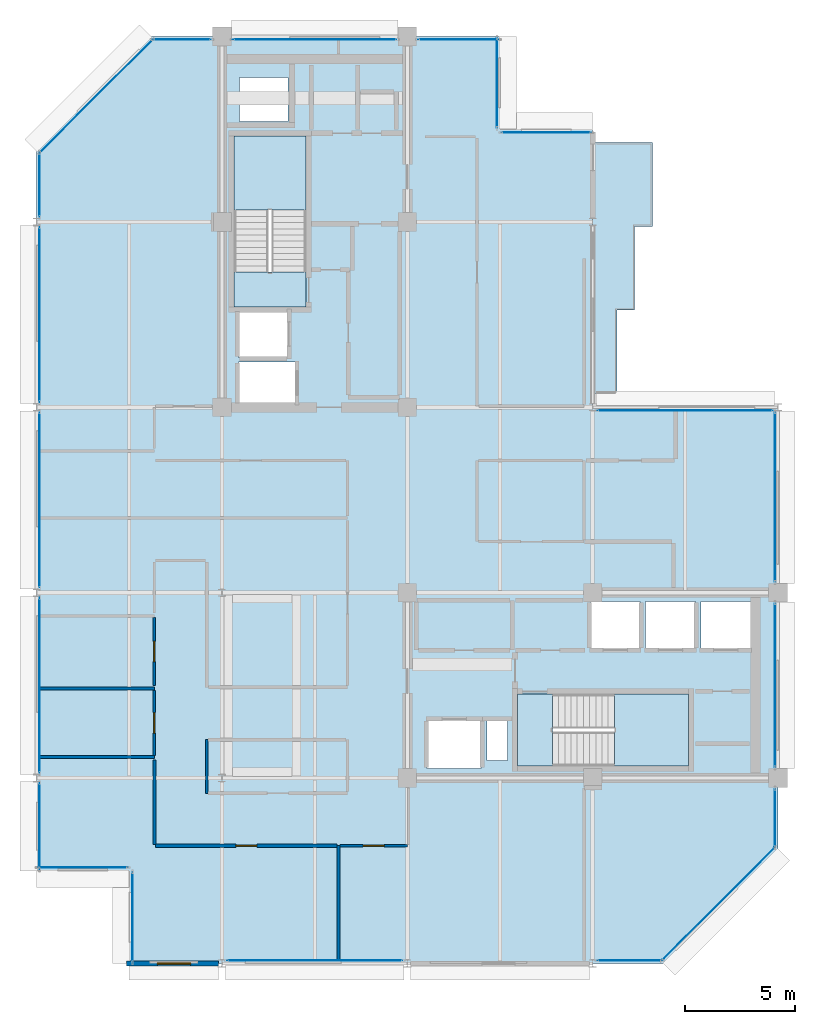
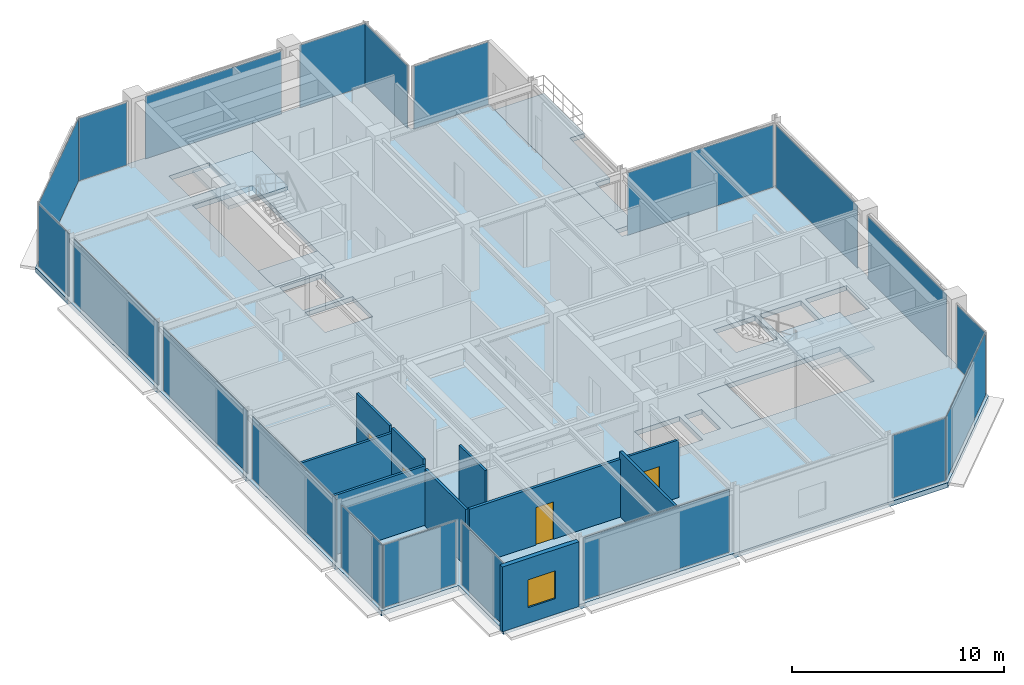
# One storey, part 19 of 25: 20 plates, 10 walls, 6 slabs, 4 doors, 1 window, 5 openings, 22 elements without a shape of their own.
"""IFC4 building model written with IfcOpenShell, lengths in metres."""

from ifc_helpers import new_model, si_unit, direction, frame, frame_2d, origin, origin_2d, place, context, subcontext, project, spatial, polyline, rectangle, outline, extrude, material, layer, layer_set, type_object, element, fill, aggregate, save


model = new_model("IFC4")

# Units and contexts
model_context = context("Model", 3, precision=1e-05, world=origin(), true_north=direction((0.0, 1.0)))
body_context = subcontext(model_context, "Body", "Model", "MODEL_VIEW")
ifc_project = project(units=[si_unit("LENGTHUNIT", "METRE"), si_unit("AREAUNIT", "SQUARE_METRE"), si_unit("VOLUMEUNIT", "CUBIC_METRE"), si_unit("PLANEANGLEUNIT", "RADIAN"), si_unit("MASSUNIT", "GRAM", prefix="KILO")], contexts=[model_context])

# Site, building, storey
site_placement = place(None, origin())
site = spatial("IfcSite", under=ifc_project, at=site_placement, CompositionType="ELEMENT")
building_placement = place(site_placement, origin())
building = spatial("IfcBuilding", under=site, at=building_placement, Name="Nerrivon Quay Data Exchange", CompositionType="ELEMENT")
storey_placement = place(building_placement, frame((0.0, 0.0, 314.199951171875)))
storey = spatial("IfcBuildingStorey", under=building, at=storey_placement, Name="L75", CompositionType="ELEMENT", Elevation=314.199951171875)

# Curtain wall, plate
ifc_material_1 = material(Name="Anodised aluminium 6063-T6", Category="aluminium")
ifc_layer_1 = layer(ifc_material_1, 0.195068359375)
ifc_layer_set_1 = layer_set([ifc_layer_1], Name="Anodised aluminium 6063-T6")
curtain_wall_type = type_object("IfcCurtainWallType", Name="CW-SYS-06", PredefinedType="NOTDEFINED", material=ifc_layer_set_1)
curtain_wall_1_placement = place(storey_placement, origin())
curtain_wall_1 = element("IfcCurtainWall", 1, at=curtain_wall_1_placement, inside=storey, type_object=curtain_wall_type, Name="L75 Unitised Curtain Wall 1", PredefinedType="NOTDEFINED")
ifc_material_2 = material(Name="Double-glazed low-E solar control glass", Category="glass")
ifc_layer_2 = layer(ifc_material_2, 0.028076171875)
ifc_layer_set_2 = layer_set([ifc_layer_2], Name="Double-glazed low-E solar control glass")
plate_type = type_object("IfcPlateType", Name="CWP-GLZ-28", PredefinedType="CURTAIN_PANEL", material=ifc_layer_set_2)
plate_1_placement = place(storey_placement, frame((30.90087890625, 2.698974609375, 0.06494140625), z_axis=(0.0, 0.0, 1.0), x_axis=(-0.707106781187, -0.707106781187, 0.0)))
plate_1 = element("IfcPlate", 2, at=plate_1_placement, type_object=plate_type, Name="CW06 panel 1.1", PredefinedType="CURTAIN_PANEL", context=body_context, shape_type="SweptSolid", body=[
    extrude(rectangle(XDim=7.203857421875, YDim=0.028076171875, at=origin_2d()), origin(), (0.0, 0.0, 1.0), 3.594970703125),
])
aggregate(curtain_wall_1, [plate_1])

curtain_wall_2_placement = place(storey_placement, origin())
curtain_wall_2 = element("IfcCurtainWall", 3, at=curtain_wall_2_placement, inside=storey, type_object=curtain_wall_type, Name="L75 Unitised Curtain Wall 2", PredefinedType="NOTDEFINED")
plate_2_placement = place(storey_placement, frame((26.877685546875, 0.139892578125, 0.06494140625), z_axis=(0.0, 0.0, 1.0), x_axis=(-1.0, 0.0, 0.0)))
plate_2 = element("IfcPlate", 4, at=plate_2_placement, type_object=plate_type, Name="CW06 panel 1.1", PredefinedType="CURTAIN_PANEL", context=body_context, shape_type="SweptSolid", body=[
    extrude(rectangle(XDim=2.89453125, YDim=0.028076171875, at=origin_2d()), origin(), (0.0, 0.0, 1.0), 3.594970703125),
])
aggregate(curtain_wall_2, [plate_2])

curtain_wall_3_placement = place(storey_placement, origin())
curtain_wall_3 = element("IfcCurtainWall", 5, at=curtain_wall_3_placement, inside=storey, type_object=curtain_wall_type, Name="L75 Unitised Curtain Wall 4", PredefinedType="NOTDEFINED")
plate_3_placement = place(storey_placement, frame((12.60009765625, 0.139892578125, 0.06494140625), z_axis=(0.0, 0.0, 1.0), x_axis=(-1.0, 0.0, 0.0)))
plate_3 = element("IfcPlate", 6, at=plate_3_placement, type_object=plate_type, Name="CW06 panel 1.1", PredefinedType="CURTAIN_PANEL", context=body_context, shape_type="SweptSolid", body=[
    extrude(rectangle(XDim=7.93896484375, YDim=0.028076171875, at=origin_2d()), origin(), (0.0, 0.0, 1.0), 3.594970703125),
])
aggregate(curtain_wall_3, [plate_3])

curtain_wall_4_placement = place(storey_placement, origin())
curtain_wall_4 = element("IfcCurtainWall", 7, at=curtain_wall_4_placement, inside=storey, type_object=curtain_wall_type, Name="L75 Unitised Curtain Wall 6", PredefinedType="NOTDEFINED")
plate_4_placement = place(storey_placement, frame((4.340087890625, 2.10009765625, 0.06494140625), z_axis=(0.0, 0.0, 1.0), x_axis=(0.0, 1.0, 0.0)))
plate_4 = element("IfcPlate", 8, at=plate_4_placement, type_object=plate_type, Name="CW06 panel 1.1", PredefinedType="CURTAIN_PANEL", context=body_context, shape_type="SweptSolid", body=[
    extrude(rectangle(XDim=4.050048828125, YDim=0.028076171875, at=origin_2d()), origin(), (0.0, 0.0, 1.0), 3.594970703125),
])
aggregate(curtain_wall_4, [plate_4])

curtain_wall_5_placement = place(storey_placement, origin())
curtain_wall_5 = element("IfcCurtainWall", 9, at=curtain_wall_5_placement, inside=storey, type_object=curtain_wall_type, Name="L75 Unitised Curtain Wall 7", PredefinedType="NOTDEFINED")
plate_5_placement = place(storey_placement, frame((2.10009765625, 4.340087890625, 0.06494140625), z_axis=(0.0, 0.0, 1.0), x_axis=(-1.0, 0.0, 0.0)))
plate_5 = element("IfcPlate", 10, at=plate_5_placement, type_object=plate_type, Name="CW06 panel 1.1", PredefinedType="CURTAIN_PANEL", context=body_context, shape_type="SweptSolid", body=[
    extrude(rectangle(XDim=4.050048828125, YDim=0.028076171875, at=origin_2d()), origin(), (0.0, 0.0, 1.0), 3.594970703125),
])
aggregate(curtain_wall_5, [plate_5])

curtain_wall_6_placement = place(storey_placement, origin())
curtain_wall_6 = element("IfcCurtainWall", 11, at=curtain_wall_6_placement, inside=storey, type_object=curtain_wall_type, Name="L75 Unitised Curtain Wall 8", PredefinedType="NOTDEFINED")
plate_6_placement = place(storey_placement, frame((0.139892578125, 6.21826171875, 0.06494140625), z_axis=(0.0, 0.0, 1.0), x_axis=(0.0, 1.0, 0.0)))
plate_6 = element("IfcPlate", 12, at=plate_6_placement, type_object=plate_type, Name="CW06 panel 1.1", PredefinedType="CURTAIN_PANEL", context=body_context, shape_type="SweptSolid", body=[
    extrude(rectangle(XDim=3.886474609375, YDim=0.028076171875, at=origin_2d()), origin(), (0.0, 0.0, 1.0), 3.594970703125),
])
aggregate(curtain_wall_6, [plate_6])

curtain_wall_7_placement = place(storey_placement, origin())
curtain_wall_7 = element("IfcCurtainWall", 13, at=curtain_wall_7_placement, inside=storey, type_object=curtain_wall_type, Name="L75 Unitised Curtain Wall 9", PredefinedType="NOTDEFINED")
plate_7_placement = place(storey_placement, frame((0.139892578125, 12.60009765625, 0.06494140625), z_axis=(0.0, 0.0, 1.0), x_axis=(0.0, 1.0, 0.0)))
plate_7 = element("IfcPlate", 14, at=plate_7_placement, type_object=plate_type, Name="CW06 panel 1.1", PredefinedType="CURTAIN_PANEL", context=body_context, shape_type="SweptSolid", body=[
    extrude(rectangle(XDim=7.923095703125, YDim=0.028076171875, at=origin_2d()), origin(), (0.0, 0.0, 1.0), 3.594970703125),
])
aggregate(curtain_wall_7, [plate_7])

curtain_wall_8_placement = place(storey_placement, origin())
curtain_wall_8 = element("IfcCurtainWall", 15, at=curtain_wall_8_placement, inside=storey, type_object=curtain_wall_type, Name="L75 Unitised Curtain Wall 10", PredefinedType="NOTDEFINED")
plate_8_placement = place(storey_placement, frame((0.139892578125, 21.0, 0.06494140625), z_axis=(0.0, 0.0, 1.0), x_axis=(0.0, 1.0, 0.0)))
plate_8 = element("IfcPlate", 16, at=plate_8_placement, type_object=plate_type, Name="CW06 panel 1.1", PredefinedType="CURTAIN_PANEL", context=body_context, shape_type="SweptSolid", body=[
    extrude(rectangle(XDim=7.923095703125, YDim=0.028076171875, at=origin_2d()), origin(), (0.0, 0.0, 1.0), 3.594970703125),
])
aggregate(curtain_wall_8, [plate_8])

curtain_wall_9_placement = place(storey_placement, origin())
curtain_wall_9 = element("IfcCurtainWall", 17, at=curtain_wall_9_placement, inside=storey, type_object=curtain_wall_type, Name="L75 Unitised Curtain Wall 11", PredefinedType="NOTDEFINED")
plate_9_placement = place(storey_placement, frame((0.139892578125, 29.39990234375, 0.06494140625), z_axis=(0.0, 0.0, 1.0), x_axis=(0.0, 1.0, 0.0)))
plate_9 = element("IfcPlate", 18, at=plate_9_placement, type_object=plate_type, Name="CW06 panel 1.1", PredefinedType="CURTAIN_PANEL", context=body_context, shape_type="SweptSolid", body=[
    extrude(rectangle(XDim=7.923095703125, YDim=0.028076171875, at=origin_2d()), origin(), (0.0, 0.0, 1.0), 3.594970703125),
])
aggregate(curtain_wall_9, [plate_9])

curtain_wall_10_placement = place(storey_placement, origin())
curtain_wall_10 = element("IfcCurtainWall", 19, at=curtain_wall_10_placement, inside=storey, type_object=curtain_wall_type, Name="L75 Unitised Curtain Wall 12", PredefinedType="NOTDEFINED")
plate_10_placement = place(storey_placement, frame((0.139892578125, 35.28173828125, 0.06494140625), z_axis=(0.0, 0.0, 1.0), x_axis=(0.0, 1.0, 0.0)))
plate_10 = element("IfcPlate", 20, at=plate_10_placement, type_object=plate_type, Name="CW06 panel 1.1", PredefinedType="CURTAIN_PANEL", context=body_context, shape_type="SweptSolid", body=[
    extrude(rectangle(XDim=2.886474609375, YDim=0.028076171875, at=origin_2d()), origin(), (0.0, 0.0, 1.0), 3.594970703125),
])
aggregate(curtain_wall_10, [plate_10])

curtain_wall_11_placement = place(storey_placement, origin())
curtain_wall_11 = element("IfcCurtainWall", 21, at=curtain_wall_11_placement, inside=storey, type_object=curtain_wall_type, Name="L75 Unitised Curtain Wall 13", PredefinedType="NOTDEFINED")
plate_11_placement = place(storey_placement, frame((2.698974609375, 39.301025390625, 0.06494140625), z_axis=(0.0, 0.0, 1.0), x_axis=(0.707106781187, 0.707106781187, 0.0)))
plate_11 = element("IfcPlate", 22, at=plate_11_placement, type_object=plate_type, Name="CW06 panel 1.1", PredefinedType="CURTAIN_PANEL", context=body_context, shape_type="SweptSolid", body=[
    extrude(rectangle(XDim=7.203857421875, YDim=0.028076171875, at=origin_2d()), origin(), (0.0, 0.0, 1.0), 3.594970703125),
])
aggregate(curtain_wall_11, [plate_11])

curtain_wall_12_placement = place(storey_placement, origin())
curtain_wall_12 = element("IfcCurtainWall", 23, at=curtain_wall_12_placement, inside=storey, type_object=curtain_wall_type, Name="L75 Unitised Curtain Wall 14", PredefinedType="NOTDEFINED")
plate_12_placement = place(storey_placement, frame((6.58740234375, 41.860107421875, 0.06494140625), z_axis=(0.0, 0.0, 1.0), x_axis=(1.0, 0.0, 0.0)))
plate_12 = element("IfcPlate", 24, at=plate_12_placement, type_object=plate_type, Name="CW06 panel 1.1", PredefinedType="CURTAIN_PANEL", context=body_context, shape_type="SweptSolid", body=[
    extrude(rectangle(XDim=2.625, YDim=0.028076171875, at=origin_2d()), origin(), (0.0, 0.0, 1.0), 3.594970703125),
])
aggregate(curtain_wall_12, [plate_12])

curtain_wall_13_placement = place(storey_placement, origin())
curtain_wall_13 = element("IfcCurtainWall", 25, at=curtain_wall_13_placement, inside=storey, type_object=curtain_wall_type, Name="L75 Unitised Curtain Wall 15", PredefinedType="NOTDEFINED")
plate_13_placement = place(storey_placement, frame((12.60009765625, 41.860107421875, 0.06494140625), z_axis=(0.0, 0.0, 1.0), x_axis=(1.0, 0.0, 0.0)))
plate_13 = element("IfcPlate", 26, at=plate_13_placement, type_object=plate_type, Name="CW06 panel 1.1", PredefinedType="CURTAIN_PANEL", context=body_context, shape_type="SweptSolid", body=[
    extrude(rectangle(XDim=7.39990234375, YDim=0.028076171875, at=origin_2d()), origin(), (0.0, 0.0, 1.0), 3.594970703125),
])
aggregate(curtain_wall_13, [plate_13])

curtain_wall_14_placement = place(storey_placement, origin())
curtain_wall_14 = element("IfcCurtainWall", 27, at=curtain_wall_14_placement, inside=storey, type_object=curtain_wall_type, Name="L75 Unitised Curtain Wall 16", PredefinedType="NOTDEFINED")
plate_14_placement = place(storey_placement, frame((19.112548828125, 41.860107421875, 0.06494140625), z_axis=(0.0, 0.0, 1.0), x_axis=(1.0, 0.0, 0.0)))
plate_14 = element("IfcPlate", 28, at=plate_14_placement, type_object=plate_type, Name="CW06 panel 1.1", PredefinedType="CURTAIN_PANEL", context=body_context, shape_type="SweptSolid", body=[
    extrude(rectangle(XDim=3.625, YDim=0.028076171875, at=origin_2d()), origin(), (0.0, 0.0, 1.0), 3.594970703125),
])
aggregate(curtain_wall_14, [plate_14])

curtain_wall_15_placement = place(storey_placement, origin())
curtain_wall_15 = element("IfcCurtainWall", 29, at=curtain_wall_15_placement, inside=storey, type_object=curtain_wall_type, Name="L75 Unitised Curtain Wall 17", PredefinedType="NOTDEFINED")
plate_15_placement = place(storey_placement, frame((20.860107421875, 39.89990234375, 0.06494140625), z_axis=(0.0, 0.0, 1.0), x_axis=(0.0, -1.0, 0.0)))
plate_15 = element("IfcPlate", 30, at=plate_15_placement, type_object=plate_type, Name="CW06 panel 1.1", PredefinedType="CURTAIN_PANEL", context=body_context, shape_type="SweptSolid", body=[
    extrude(rectangle(XDim=4.050048828125, YDim=0.028076171875, at=origin_2d()), origin(), (0.0, 0.0, 1.0), 3.594970703125),
])
aggregate(curtain_wall_15, [plate_15])

curtain_wall_16_placement = place(storey_placement, origin())
curtain_wall_16 = element("IfcCurtainWall", 31, at=curtain_wall_16_placement, inside=storey, type_object=curtain_wall_type, Name="L75 Unitised Curtain Wall 18", PredefinedType="NOTDEFINED")
plate_16_placement = place(storey_placement, frame((23.10009765625, 37.659912109375, 0.06494140625), z_axis=(0.0, 0.0, 1.0), x_axis=(1.0, 0.0, 0.0)))
plate_16 = element("IfcPlate", 32, at=plate_16_placement, type_object=plate_type, Name="CW06 panel 1.1", PredefinedType="CURTAIN_PANEL", context=body_context, shape_type="SweptSolid", body=[
    extrude(rectangle(XDim=4.050048828125, YDim=0.028076171875, at=origin_2d()), origin(), (0.0, 0.0, 1.0), 3.594970703125),
])
aggregate(curtain_wall_16, [plate_16])

curtain_wall_17_placement = place(storey_placement, origin())
curtain_wall_17 = element("IfcCurtainWall", 33, at=curtain_wall_17_placement, inside=storey, type_object=curtain_wall_type, Name="L75 Unitised Curtain Wall 21", PredefinedType="NOTDEFINED")
plate_17_placement = place(storey_placement, frame((29.39990234375, 25.06005859375, 0.06494140625), z_axis=(0.0, 0.0, 1.0), x_axis=(1.0, 0.0, 0.0)))
plate_17 = element("IfcPlate", 34, at=plate_17_placement, type_object=plate_type, Name="CW06 panel 1.1", PredefinedType="CURTAIN_PANEL", context=body_context, shape_type="SweptSolid", body=[
    extrude(rectangle(XDim=7.93896484375, YDim=0.028076171875, at=origin_2d()), origin(), (0.0, 0.0, 1.0), 3.594970703125),
])
aggregate(curtain_wall_17, [plate_17])

curtain_wall_18_placement = place(storey_placement, origin())
curtain_wall_18 = element("IfcCurtainWall", 35, at=curtain_wall_18_placement, inside=storey, type_object=curtain_wall_type, Name="L75 Unitised Curtain Wall 22", PredefinedType="NOTDEFINED")
plate_18_placement = place(storey_placement, frame((33.4599609375, 21.130859375, 0.06494140625), z_axis=(0.0, 0.0, 1.0), x_axis=(0.0, -1.0, 0.0)))
plate_18 = element("IfcPlate", 36, at=plate_18_placement, type_object=plate_type, Name="CW06 panel 1.1", PredefinedType="CURTAIN_PANEL", context=body_context, shape_type="SweptSolid", body=[
    extrude(rectangle(XDim=7.66162109375, YDim=0.028076171875, at=origin_2d()), origin(), (0.0, 0.0, 1.0), 3.594970703125),
])
aggregate(curtain_wall_18, [plate_18])

curtain_wall_19_placement = place(storey_placement, origin())
curtain_wall_19 = element("IfcCurtainWall", 37, at=curtain_wall_19_placement, inside=storey, type_object=curtain_wall_type, Name="L75 Unitised Curtain Wall 23", PredefinedType="NOTDEFINED")
plate_19_placement = place(storey_placement, frame((33.4599609375, 12.60009765625, 0.06494140625), z_axis=(0.0, 0.0, 1.0), x_axis=(0.0, -1.0, 0.0)))
plate_19 = element("IfcPlate", 38, at=plate_19_placement, type_object=plate_type, Name="CW06 panel 1.1", PredefinedType="CURTAIN_PANEL", context=body_context, shape_type="SweptSolid", body=[
    extrude(rectangle(XDim=7.39990234375, YDim=0.028076171875, at=origin_2d()), origin(), (0.0, 0.0, 1.0), 3.594970703125),
])
aggregate(curtain_wall_19, [plate_19])

curtain_wall_20_placement = place(storey_placement, origin())
curtain_wall_20 = element("IfcCurtainWall", 39, at=curtain_wall_20_placement, inside=storey, type_object=curtain_wall_type, Name="L75 Unitised Curtain Wall 24", PredefinedType="NOTDEFINED")
plate_20_placement = place(storey_placement, frame((33.4599609375, 6.58740234375, 0.06494140625), z_axis=(0.0, 0.0, 1.0), x_axis=(0.0, -1.0, 0.0)))
plate_20 = element("IfcPlate", 40, at=plate_20_placement, type_object=plate_type, Name="CW06 panel 1.1", PredefinedType="CURTAIN_PANEL", context=body_context, shape_type="SweptSolid", body=[
    extrude(rectangle(XDim=2.625, YDim=0.028076171875, at=origin_2d()), origin(), (0.0, 0.0, 1.0), 3.594970703125),
])
aggregate(curtain_wall_20, [plate_20])

# Slab
ifc_material_3 = material(Name="Precast white architectural concrete N50 (50 MPa)", Category="concrete")
ifc_layer_3 = layer(ifc_material_3, 0.25)
ifc_layer_set_3 = layer_set([ifc_layer_3], Name="Precast white architectural concrete N50 (50 MPa)")
slab_type_1 = type_object("IfcSlabType", Name="SLB-BAL-250", PredefinedType="FLOOR", material=ifc_layer_set_3)
slab_1_placement = place(storey_placement, frame((0.0, 0.0, -0.25)))
element("IfcSlab", 41, at=slab_1_placement, inside=storey, type_object=slab_type_1, Name="L75 Waterfront Subtropical Verandah", PredefinedType="FLOOR", context=body_context, shape_type="SweptSolid", body=[
    extrude(outline(polyline([(26.300048828125, 29.60009765625), (27.10009765625, 29.60009765625), (27.10009765625, 33.39990234375), (27.89990234375, 33.39990234375), (27.89990234375, 37.199951171875), (25.199951171875, 37.199951171875), (25.199951171875, 33.39990234375), (25.199951171875, 29.60009765625), (25.199951171875, 25.800048828125), (26.300048828125, 25.800048828125), (26.300048828125, 29.60009765625)])), origin(), (0.0, 0.0, 1.0), 0.25),
])

# Stair, slab
ifc_material_4 = material(Name="Concrete N50 (50 MPa)", Category="concrete")
stair_type = type_object("IfcStairType", Name="STAIR-DOG-40", PredefinedType="HALF_TURN_STAIR", material=ifc_material_4)
stair_1_placement = place(storey_placement, origin())
stair_1 = element("IfcStair", 42, at=stair_1_placement, inside=storey, type_object=stair_type, Name="L75 West Core Fire Stair ST01", PredefinedType="HALF_TURN_STAIR")
ifc_layer_4 = layer(ifc_material_4, 0.199951171875)
ifc_layer_set_4 = layer_set([ifc_layer_4], Name="Concrete N50 (50 MPa)")
slab_type_2 = type_object("IfcSlabType", Name="SLB-LAND-200", PredefinedType="LANDING", material=ifc_layer_set_4)
slab_2_placement = place(storey_placement, frame((0.0, 0.0, 1.800048828125)))
slab_2 = element("IfcSlab", 43, at=slab_2_placement, type_object=slab_type_2, Name="ST01 landing 1", PredefinedType="LANDING", context=body_context, shape_type="SweptSolid", body=[
    extrude(outline(polyline([(12.199951171875, 34.1298828125), (12.199951171875, 37.5), (8.949951171875, 37.5), (8.949951171875, 34.1298828125), (12.199951171875, 34.1298828125)])), origin(), (0.0, 0.0, 1.0), 0.199951171875),
])
aggregate(stair_1, [slab_2])

# Slab
slab_3_placement = place(storey_placement, frame((0.0, 0.0, -0.199951171875)))
element("IfcSlab", 44, at=slab_3_placement, inside=storey, type_object=slab_type_2, Name="L75 ST01 floor landing", PredefinedType="LANDING", context=body_context, shape_type="SweptSolid", body=[
    extrude(outline(polyline([(12.199951171875, 29.75), (12.199951171875, 31.330078125), (8.949951171875, 31.330078125), (8.949951171875, 29.75), (12.199951171875, 29.75)])), origin(), (0.0, 0.0, 1.0), 0.199951171875),
])

# Stair, slab
stair_2_placement = place(storey_placement, origin())
stair_2 = element("IfcStair", 45, at=stair_2_placement, inside=storey, type_object=stair_type, Name="L75 East Core Fire Stair ST02", PredefinedType="HALF_TURN_STAIR")
slab_4_placement = place(storey_placement, frame((0.0, 0.0, 1.800048828125)))
slab_4 = element("IfcSlab", 46, at=slab_4_placement, type_object=slab_type_2, Name="ST02 landing 1", PredefinedType="LANDING", context=body_context, shape_type="SweptSolid", body=[
    extrude(outline(polyline([(26.179931640625, 8.949951171875), (29.550048828125, 8.949951171875), (29.550048828125, 12.199951171875), (26.179931640625, 12.199951171875), (26.179931640625, 8.949951171875)])), origin(), (0.0, 0.0, 1.0), 0.199951171875),
])
aggregate(stair_2, [slab_4])

# Slabs
slab_5_placement = place(storey_placement, frame((0.0, 0.0, -0.199951171875)))
element("IfcSlab", 47, at=slab_5_placement, inside=storey, type_object=slab_type_2, Name="L75 ST02 floor landing", PredefinedType="LANDING", context=body_context, shape_type="SweptSolid", body=[
    extrude(outline(polyline([(21.800048828125, 8.949951171875), (23.3798828125, 8.949951171875), (23.3798828125, 12.199951171875), (21.800048828125, 12.199951171875), (21.800048828125, 8.949951171875)])), origin(), (0.0, 0.0, 1.0), 0.199951171875),
])
ifc_layer_5 = layer(ifc_material_4, 0.27490234375)
ifc_layer_set_5 = layer_set([ifc_layer_5], Name="Concrete N50 (50 MPa)")
slab_type_3 = type_object("IfcSlabType", Name="SLB-TOW-275", PredefinedType="FLOOR", material=ifc_layer_set_5)
slab_6_placement = place(storey_placement, frame((0.0, 0.0, -0.27490234375)))
element("IfcSlab", 48, at=slab_6_placement, inside=storey, type_object=slab_type_3, Name="L75 Primary Structural Slab", PredefinedType="FLOOR", context=body_context, shape_type="SweptSolid", body=[
    extrude(outline(polyline([(33.60009765625, 25.199951171875), (25.199951171875, 25.199951171875), (25.199951171875, 37.800048828125), (21.0, 37.800048828125), (21.0, 42.0), (5.199951171875, 42.0), (0.0, 36.800048828125), (0.0, 4.199951171875), (4.199951171875, 4.199951171875), (4.199951171875, 0.0), (28.39990234375, 0.0), (33.60009765625, 5.199951171875), (33.60009765625, 25.199951171875)]), holes=[polyline([(8.949951171875, 29.75), (8.949951171875, 37.5), (12.199951171875, 37.5), (12.199951171875, 29.75), (8.949951171875, 29.75)]), polyline([(21.800048828125, 12.199951171875), (29.550048828125, 12.199951171875), (29.550048828125, 8.949951171875), (21.800048828125, 8.949951171875), (21.800048828125, 12.199951171875)]), polyline([(30.10009765625, 14.25), (30.10009765625, 16.39990234375), (32.35009765625, 16.39990234375), (32.35009765625, 14.25), (30.10009765625, 14.25)]), polyline([(27.60009765625, 14.25), (27.60009765625, 16.39990234375), (29.85009765625, 16.39990234375), (29.85009765625, 14.25), (27.60009765625, 14.25)]), polyline([(25.10009765625, 14.25), (25.10009765625, 16.39990234375), (27.35009765625, 16.39990234375), (27.35009765625, 14.25), (25.10009765625, 14.25)]), polyline([(20.39990234375, 9.199951171875), (20.39990234375, 11.0), (21.35009765625, 11.0), (21.35009765625, 9.199951171875), (20.39990234375, 9.199951171875)]), polyline([(17.699951171875, 8.830078125), (17.699951171875, 11.030029296875), (20.14990234375, 11.030029296875), (20.14990234375, 8.830078125), (17.699951171875, 8.830078125)]), polyline([(9.14990234375, 25.35009765625), (9.14990234375, 27.25), (11.75, 27.25), (11.75, 25.35009765625), (9.14990234375, 25.35009765625)]), polyline([(9.14990234375, 27.449951171875), (9.14990234375, 29.60009765625), (11.39990234375, 29.60009765625), (11.39990234375, 27.449951171875), (9.14990234375, 27.449951171875)]), polyline([(9.199951171875, 38.14990234375), (9.199951171875, 40.14990234375), (11.39990234375, 40.14990234375), (11.39990234375, 38.14990234375), (9.199951171875, 38.14990234375)])]), origin(), (0.0, 0.0, 1.0), 0.27490234375),
])

# Wall, opening, window
ifc_material_5 = material(Name="Architectural terracotta precast concrete N50 (50 MPa)", Category="masonry")
ifc_layer_6 = layer(ifc_material_5, 0.239990234375)
ifc_layer_set_6 = layer_set([ifc_layer_6], Name="Architectural terracotta precast concrete N50 (50 MPa)")
wall_type_1 = type_object("IfcWallType", Name="EW-PREC-240", PredefinedType="STANDARD", material=ifc_layer_set_6)
wall_1_placement = place(storey_placement, frame((8.244384765625, 0.0, 0.0), z_axis=(0.0, 0.0, 1.0), x_axis=(-1.0, 0.0, 0.0)))
wall_1 = element("IfcWall", 49, at=wall_1_placement, inside=storey, type_object=wall_type_1, Name="L75 Podium Precast Spandrel Wall 5", PredefinedType="STANDARD", context=body_context, shape_type="SweptSolid", body=[
    extrude(rectangle(XDim=4.164306640625, YDim=0.239990234375, at=frame_2d((2.08203125, 0.0))), origin(), (0.0, 0.0, 1.0), 3.72509765625),
])
opening_1_placement = place(wall_1_placement, frame((1.267333984375, 0.0, 0.89990234375)))
opening_1 = element("IfcOpeningElement", 50, at=opening_1_placement, cuts=wall_1, Name="Opening WN4", PredefinedType="OPENING", context=body_context, shape_type="SweptSolid", body=[
    extrude(rectangle(XDim=1.5, YDim=1.60009765625, at=frame_2d((0.75, 0.800048828125))), frame((0.0, 0.1298828125, 0.0), z_axis=(0.0, -1.0, 0.0), x_axis=(1.0, 0.0, 0.0)), (0.0, 0.0, 1.0), 0.260009765625),
])
window_type = type_object("IfcWindowType", Name="WIN-W4-1500x1600", PartitioningType="SINGLE_PANEL", PredefinedType="WINDOW", material=ifc_material_2)
window_placement = place(opening_1_placement, origin())
window = element("IfcWindow", 51, at=window_placement, inside=storey, type_object=window_type, Name="L75 Solar Facade Window 5", OverallHeight=1.60009765625, OverallWidth=1.5, PartitioningType="SINGLE_PANEL", PredefinedType="WINDOW", context=body_context, shape_type="SweptSolid", body=[
    extrude(rectangle(XDim=1.5, YDim=1.60009765625, at=frame_2d((0.75, 0.800048828125))), frame((0.0, 0.030029296875, 0.0), z_axis=(0.0, -1.0, 0.0), x_axis=(1.0, 0.0, 0.0)), (0.0, 0.0, 1.0), 0.06005859375),
])
fill(opening_1, window)

# Wall, opening, door
ifc_material_6 = material(Name="Gypsum plasterboard on cold-formed framing", Category="gypsum")
ifc_layer_7 = layer(ifc_material_6, 0.1201171875)
ifc_layer_set_7 = layer_set([ifc_layer_7], Name="Gypsum plasterboard on cold-formed framing")
wall_type_2 = type_object("IfcWallType", Name="WALL-PT-120", PredefinedType="PARTITIONING", material=ifc_layer_set_7)
wall_2_placement = place(storey_placement, frame((5.340087890625, 9.42138671875, 0.0), z_axis=(0.0, 0.0, 1.0), x_axis=(0.0, 1.0, 0.0)))
wall_2 = element("IfcWall", 52, at=wall_2_placement, inside=storey, type_object=wall_type_2, Name="L75 Partition Accessible Toilet", PredefinedType="PARTITIONING", context=body_context, shape_type="SweptSolid", body=[
    extrude(rectangle(XDim=2.95703125, YDim=0.1201171875, at=frame_2d((1.478515625, 0.0))), origin(), (0.0, 0.0, 1.0), 3.72509765625),
])
opening_2_placement = place(wall_2_placement, frame((1.0185546875, 0.0, 0.0)))
opening_2 = element("IfcOpeningElement", 53, at=opening_2_placement, cuts=wall_2, Name="Opening D-WC", PredefinedType="OPENING", context=body_context, shape_type="SweptSolid", body=[
    extrude(rectangle(XDim=0.919921875, YDim=2.10009765625, at=frame_2d((0.4599609375, 1.050048828125))), frame((0.0, 0.070068359375, 0.0), z_axis=(0.0, -1.0, 0.0), x_axis=(1.0, 0.0, 0.0)), (0.0, 0.0, 1.0), 0.14013671875),
])
ifc_material_7 = material(Name="Engineered hardwood timber", Category="wood")
door_type_1 = type_object("IfcDoorType", Name="DR-WC-920", OperationType="NOTDEFINED", PredefinedType="DOOR", material=ifc_material_7)
door_1_placement = place(opening_2_placement, origin())
door_1 = element("IfcDoor", 54, at=door_1_placement, inside=storey, type_object=door_type_1, Name="L75 Door Accessible Toilet", OperationType="SINGLE_SWING_LEFT", OverallHeight=2.10009765625, OverallWidth=0.919921875, PredefinedType="DOOR", context=body_context, shape_type="SweptSolid", body=[
    extrude(rectangle(XDim=0.919921875, YDim=2.10009765625, at=frame_2d((0.4599609375, 1.050048828125))), frame((0.0, 0.02490234375, 0.0), z_axis=(0.0, -1.0, 0.0), x_axis=(1.0, 0.0, 0.0)), (0.0, 0.0, 1.0), 0.050048828125),
])
fill(opening_2, door_1)

wall_3_placement = place(storey_placement, frame((5.340087890625, 12.60009765625, 0.0), z_axis=(0.0, 0.0, 1.0), x_axis=(0.0, 1.0, 0.0)))
wall_3 = element("IfcWall", 55, at=wall_3_placement, inside=storey, type_object=wall_type_2, Name="L75 Partition Public Washrooms", PredefinedType="PARTITIONING", context=body_context, shape_type="SweptSolid", body=[
    extrude(rectangle(XDim=3.078369140625, YDim=0.1201171875, at=frame_2d((1.5390625, 0.0))), origin(), (0.0, 0.0, 1.0), 3.72509765625),
])
opening_3_placement = place(wall_3_placement, frame((1.079345703125, 0.0, 0.0)))
opening_3 = element("IfcOpeningElement", 56, at=opening_3_placement, cuts=wall_3, Name="Opening D-WC", PredefinedType="OPENING", context=body_context, shape_type="SweptSolid", body=[
    extrude(rectangle(XDim=0.919921875, YDim=2.10009765625, at=frame_2d((0.4599609375, 1.050048828125))), frame((0.0, 0.070068359375, 0.0), z_axis=(0.0, -1.0, 0.0), x_axis=(1.0, 0.0, 0.0)), (0.0, 0.0, 1.0), 0.14013671875),
])
door_2_placement = place(opening_3_placement, origin())
door_2 = element("IfcDoor", 57, at=door_2_placement, inside=storey, type_object=door_type_1, Name="L75 Door Public Washrooms", OperationType="SINGLE_SWING_RIGHT", OverallHeight=2.10009765625, OverallWidth=0.919921875, PredefinedType="DOOR", context=body_context, shape_type="SweptSolid", body=[
    extrude(rectangle(XDim=0.919921875, YDim=2.10009765625, at=frame_2d((0.4599609375, 1.050048828125))), frame((0.0, 0.02490234375, 0.0), z_axis=(0.0, -1.0, 0.0), x_axis=(1.0, 0.0, 0.0)), (0.0, 0.0, 1.0), 0.050048828125),
])
fill(opening_3, door_2)

# Wall
wall_4_placement = place(storey_placement, frame((7.7099609375, 10.139892578125, 0.0), z_axis=(0.0, 0.0, 1.0), x_axis=(0.0, -1.0, 0.0)))
element("IfcWall", 58, at=wall_4_placement, inside=storey, type_object=wall_type_2, Name="L75 Partition Staff Pantry", PredefinedType="PARTITIONING", context=body_context, shape_type="SweptSolid", body=[
    extrude(rectangle(XDim=2.429931640625, YDim=0.1201171875, at=frame_2d((1.21484375, 0.0))), origin(), (0.0, 0.0, 1.0), 3.27099609375),
])

# Wall, opening, door
wall_5_placement = place(storey_placement, frame((16.800048828125, 5.340087890625, 0.0), z_axis=(0.0, 0.0, 1.0), x_axis=(-1.0, 0.0, 0.0)))
wall_5 = element("IfcWall", 59, at=wall_5_placement, inside=storey, type_object=wall_type_2, Name="L75 Partition Cloud Compute Workspace 1", PredefinedType="PARTITIONING", context=body_context, shape_type="SweptSolid", body=[
    extrude(rectangle(XDim=3.0458984375, YDim=0.1201171875, at=frame_2d((1.52294921875, 0.0))), origin(), (0.0, 0.0, 1.0), 3.319091796875),
])
opening_4_placement = place(wall_5_placement, frame((1.0478515625, 0.0, 0.0)))
opening_4 = element("IfcOpeningElement", 60, at=opening_4_placement, cuts=wall_5, Name="Opening D-01", PredefinedType="OPENING", context=body_context, shape_type="SweptSolid", body=[
    extrude(rectangle(XDim=0.949951171875, YDim=2.14990234375, at=frame_2d((0.47509765625, 1.074951171875))), frame((0.0, 0.070068359375, 0.0), z_axis=(0.0, -1.0, 0.0), x_axis=(1.0, 0.0, 0.0)), (0.0, 0.0, 1.0), 0.14013671875),
])
door_type_2 = type_object("IfcDoorType", Name="DR-INT-950", OperationType="NOTDEFINED", PredefinedType="DOOR", material=ifc_material_7)
door_3_placement = place(opening_4_placement, origin())
door_3 = element("IfcDoor", 61, at=door_3_placement, inside=storey, type_object=door_type_2, Name="L75 Door Cloud Compute Workspace 1", OperationType="SINGLE_SWING_LEFT", OverallHeight=2.14990234375, OverallWidth=0.949951171875, PredefinedType="DOOR", context=body_context, shape_type="SweptSolid", body=[
    extrude(rectangle(XDim=0.949951171875, YDim=2.14990234375, at=frame_2d((0.47509765625, 1.074951171875))), frame((0.0, 0.02490234375, 0.0), z_axis=(0.0, -1.0, 0.0), x_axis=(1.0, 0.0, 0.0)), (0.0, 0.0, 1.0), 0.050048828125),
])
fill(opening_4, door_3)

# Walls
ifc_layer_8 = layer(ifc_material_6, 0.135009765625)
ifc_layer_set_8 = layer_set([ifc_layer_8], Name="Gypsum plasterboard on cold-formed framing")
wall_type_3 = type_object("IfcWallType", Name="WALL-PT-135", PredefinedType="PARTITIONING", material=ifc_layer_set_8)
for number, where, z_axis, x_axis, name in (
    (62, (5.340087890625, 12.449951171875, 0.0), (0.0, 0.0, 1.0), (-1.0, 0.0, 0.0), "L75 Partition Accessible Toilet"),
    (63, (0.1689453125, 9.35009765625, 0.0), (0.0, 0.0, 1.0), (1.0, 0.0, 0.0), "L75 Partition Accessible Toilet"),
):
    element("IfcWall", number, at=place(storey_placement, frame(where, z_axis=z_axis, x_axis=x_axis)), inside=storey, type_object=wall_type_3, Name=name, PredefinedType="PARTITIONING", context=body_context, shape_type="SweptSolid", body=[
        extrude(rectangle(XDim=5.171142578125, YDim=0.135009765625, at=frame_2d((2.58544921875, 0.0))), origin(), (0.0, 0.0, 1.0), 3.421142578125),
    ])
wall_6_placement = place(storey_placement, frame((13.6826171875, 0.1689453125, 0.0), z_axis=(0.0, 0.0, 1.0), x_axis=(0.0, 1.0, 0.0)))
element("IfcWall", 64, at=wall_6_placement, inside=storey, type_object=wall_type_3, Name="L75 Partition Peering Day Lounge", PredefinedType="PARTITIONING", context=body_context, shape_type="SweptSolid", body=[
    extrude(rectangle(XDim=5.171142578125, YDim=0.135009765625, at=frame_2d((2.58544921875, 0.0))), origin(), (0.0, 0.0, 1.0), 3.72509765625),
])
wall_7_placement = place(storey_placement, frame((5.340087890625, 5.39990234375, 0.0), z_axis=(0.0, 0.0, 1.0), x_axis=(0.0, 1.0, 0.0)))
element("IfcWall", 65, at=wall_7_placement, inside=storey, type_object=wall_type_3, Name="L75 Partition Peering Day Lounge", PredefinedType="PARTITIONING", context=body_context, shape_type="SweptSolid", body=[
    extrude(rectangle(XDim=3.830078125, YDim=0.135009765625, at=frame_2d((1.9150390625, 0.0))), origin(), (0.0, 0.0, 1.0), 3.27099609375),
])

# Wall, opening, door
ifc_layer_9 = layer(ifc_material_6, 0.14990234375)
ifc_layer_set_9 = layer_set([ifc_layer_9], Name="Gypsum plasterboard on cold-formed framing")
wall_type_4 = type_object("IfcWallType", Name="WALL-PT-150", PredefinedType="PARTITIONING", material=ifc_layer_set_9)
wall_8_placement = place(storey_placement, frame((13.611083984375, 5.340087890625, 0.0), z_axis=(0.0, 0.0, 1.0), x_axis=(-1.0, 0.0, 0.0)))
wall_8 = element("IfcWall", 66, at=wall_8_placement, inside=storey, type_object=wall_type_4, Name="L75 Partition Peering Day Lounge", PredefinedType="PARTITIONING", context=body_context, shape_type="SweptSolid", body=[
    extrude(rectangle(XDim=8.211181640625, YDim=0.14990234375, at=frame_2d((4.10546875, 0.0))), origin(), (0.0, 0.0, 1.0), 3.319091796875),
])
opening_5_placement = place(wall_8_placement, frame((3.630615234375, 0.0, 0.0)))
opening_5 = element("IfcOpeningElement", 67, at=opening_5_placement, cuts=wall_8, Name="Opening D-01", PredefinedType="OPENING", context=body_context, shape_type="SweptSolid", body=[
    extrude(rectangle(XDim=0.949951171875, YDim=2.14990234375, at=frame_2d((0.47509765625, 1.074951171875))), frame((0.0, 0.0849609375, 0.0), z_axis=(0.0, -1.0, 0.0), x_axis=(1.0, 0.0, 0.0)), (0.0, 0.0, 1.0), 0.169921875),
])
door_4_placement = place(opening_5_placement, origin())
door_4 = element("IfcDoor", 68, at=door_4_placement, inside=storey, type_object=door_type_2, Name="L75 Door Peering Day Lounge", OperationType="SINGLE_SWING_RIGHT", OverallHeight=2.14990234375, OverallWidth=0.949951171875, PredefinedType="DOOR", context=body_context, shape_type="SweptSolid", body=[
    extrude(rectangle(XDim=0.949951171875, YDim=2.14990234375, at=frame_2d((0.47509765625, 1.074951171875))), frame((0.0, 0.02490234375, 0.0), z_axis=(0.0, -1.0, 0.0), x_axis=(1.0, 0.0, 0.0)), (0.0, 0.0, 1.0), 0.050048828125),
])
fill(opening_5, door_4)

save(model, "model.ifc")
